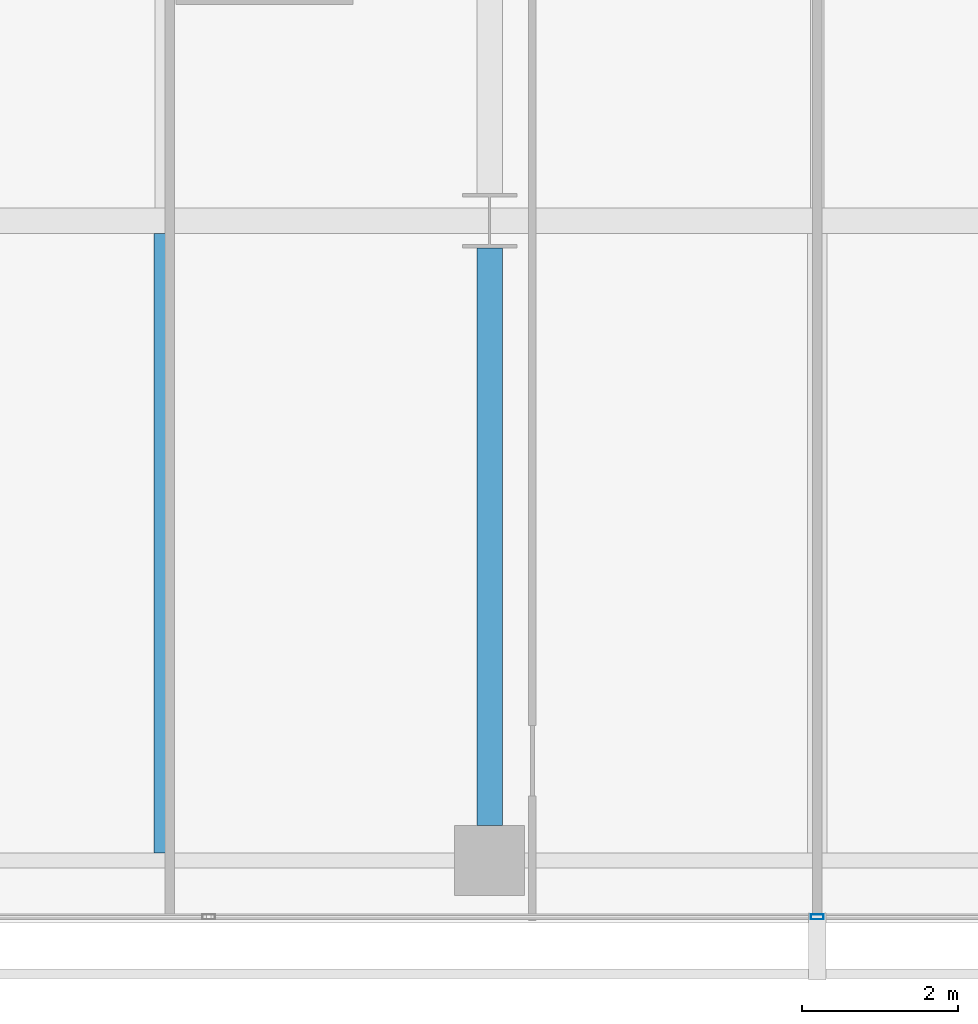
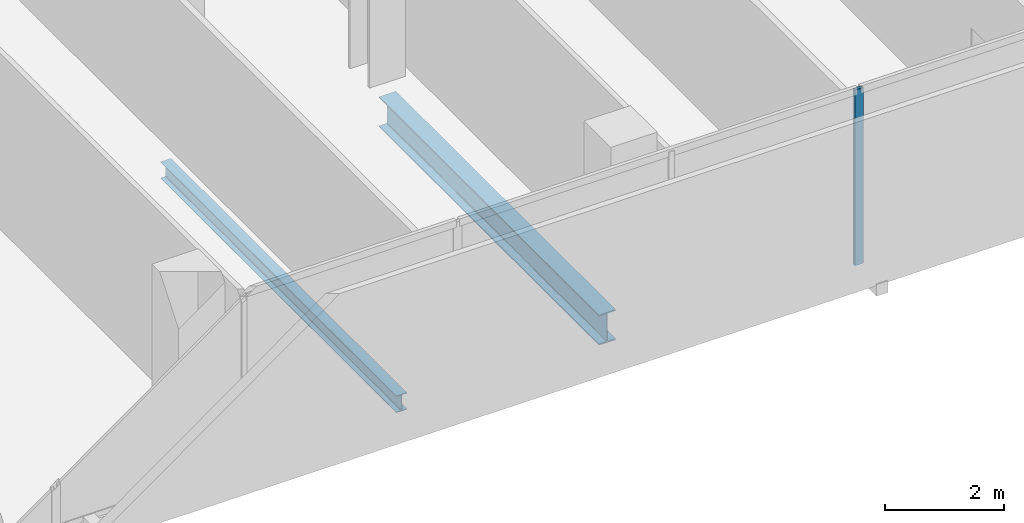
# One storey, part 8 of 40: 2 beams, 1 member, 1 element without a shape of its own.
"""IFC4 building model written with IfcOpenShell, lengths in metres."""

from ifc_helpers import new_model, si_unit, direction, frame, origin, origin_2d, place, context, subcontext, project, spatial, hollow_rectangle, i_section, extrude, material, layer, layer_set, material_profile, profile_set, type_object, element, aggregate, save


model = new_model("IFC4")

# Units and contexts
model_context = context("Model", 3, precision=1e-05, world=origin(), true_north=direction((0.0, 1.0)))
body_context = subcontext(model_context, "Body", "Model", "MODEL_VIEW")
ifc_project = project(units=[si_unit("LENGTHUNIT", "METRE"), si_unit("AREAUNIT", "SQUARE_METRE"), si_unit("VOLUMEUNIT", "CUBIC_METRE"), si_unit("PLANEANGLEUNIT", "RADIAN"), si_unit("MASSUNIT", "GRAM", prefix="KILO")], contexts=[model_context])

# Site, building, storey
site_placement = place(None, origin())
site = spatial("IfcSite", under=ifc_project, at=site_placement, CompositionType="ELEMENT")
building_placement = place(site_placement, origin())
building = spatial("IfcBuilding", under=site, at=building_placement, Name="Maruvema Waterfront Hotel and Observation Tower", CompositionType="ELEMENT")
storey_placement = place(building_placement, frame((0.0, 0.0, 50.050048828125)))
storey = spatial("IfcBuildingStorey", under=building, at=storey_placement, Name="L11", CompositionType="ELEMENT", Elevation=50.050048828125)

# Curtain wall, member
ifc_material_1 = material(Name="Anodised bronze aluminium and solar-control low-E IGU", Category="aluminium")
ifc_layer = layer(ifc_material_1, 0.159912109375, Name="Zone 1 Bronze Inner Thermal Curtain Wall System CW-02")
ifc_layer_set = layer_set([ifc_layer], Name="Anodised bronze aluminium and solar-control low-E IGU")
curtain_wall_type = type_object("IfcCurtainWallType", Name="Zone 1 Bronze Inner Thermal Curtain Wall System CW-02", PredefinedType="USERDEFINED", material=ifc_layer_set)
curtain_wall_placement = place(storey_placement, origin())
curtain_wall = element("IfcCurtainWall", 1, at=curtain_wall_placement, inside=storey, type_object=curtain_wall_type, Name="L11 Curtain Wall CW-L11-S", ObjectType="UNITISED CURTAIN WALL", PredefinedType="USERDEFINED")
ifc_material_2 = material(Name="Anodised architectural bronze aluminium", Category="aluminium")
ifc_material_profile_1 = material_profile(ifc_material_2, hollow_rectangle(XDim=0.06494140625, YDim=0.1650390625, WallThickness=0.00390625, at=origin_2d()), Name="ALU-M65x165")
ifc_profile_set_1 = profile_set([ifc_material_profile_1], Name="Anodised architectural bronze aluminium")
member_type = type_object("IfcMemberType", Name="Curtain Wall Primary Mullion ALU-M65x165", PredefinedType="MULLION", material=ifc_profile_set_1)
member_placement = place(storey_placement, frame((37.800048828125, 0.080078125, 0.0), z_axis=(0.0, 0.0, 1.0), x_axis=(0.0, 1.0, 0.0)))
member = element("IfcMember", 2, at=member_placement, type_object=member_type, Name="CW-02 mullion 4", PredefinedType="MULLION", context=body_context, shape_type="SweptSolid", body=[
    extrude(hollow_rectangle(XDim=0.06494140625, YDim=0.1650390625, WallThickness=0.00390625, at=origin_2d()), origin(), (0.0, 0.0, 1.0), 3.60986328125),
])
aggregate(curtain_wall, [member])

# Beams
ifc_material_3 = material(Name="Steel ASTM A572 Grade 50", Category="steel")
ifc_material_profile_2 = material_profile(ifc_material_3, i_section(OverallWidth=0.326904296875, OverallDepth=0.6220703125, WebThickness=0.015380859375, FlangeThickness=0.0244140625, FilletRadius=0.01806640625, at=origin_2d()), Name="W610x195.0")
ifc_profile_set_2 = profile_set([ifc_material_profile_2], Name="Steel ASTM A572 Grade 50")
beam_type_1 = type_object("IfcBeamType", Name="Primary Floor Girder W610x195.0", PredefinedType="BEAM", material=ifc_profile_set_2)
beam_1_placement = place(storey_placement, frame((33.60009765625, 1.25, -0.551025390625), z_axis=(0.0, 1.0, 0.0), x_axis=(-1.0, 0.0, 0.0)))
element("IfcBeam", 3, at=beam_1_placement, inside=storey, type_object=beam_type_1, Name="L11 Floor Girder NS-16", PredefinedType="BEAM", context=body_context, shape_type="SweptSolid", body=[
    extrude(i_section(OverallWidth=0.326904296875, OverallDepth=0.6220703125, WebThickness=0.015380859375, FlangeThickness=0.0244140625, FilletRadius=0.01806640625, at=origin_2d()), origin(), (0.0, 0.0, 1.0), 7.39990234375),
])
ifc_material_4 = material(Name="Steel ASTM A572 Grade 50", Category="steel")
ifc_material_profile_3 = material_profile(ifc_material_4, i_section(OverallWidth=0.202880859375, OverallDepth=0.346923828125, WebThickness=0.0078125, FlangeThickness=0.013427734375, FilletRadius=0.014892578125, at=origin_2d()), Name="W360x64.0")
ifc_profile_set_3 = profile_set([ifc_material_profile_3], Name="Steel ASTM A572 Grade 50")
beam_type_2 = type_object("IfcBeamType", Name="Secondary Floor Joist W360x64.0", PredefinedType="JOIST", material=ifc_profile_set_3)
beam_2_placement = place(storey_placement, frame((29.39990234375, 0.89501953125, -0.41357421875), z_axis=(0.0, 1.0, 0.0), x_axis=(-1.0, 0.0, 0.0)))
element("IfcBeam", 4, at=beam_2_placement, inside=storey, type_object=beam_type_2, Name="L11 Secondary Floor Joist JS-10", PredefinedType="JOIST", context=body_context, shape_type="SweptSolid", body=[
    extrude(i_section(OverallWidth=0.202880859375, OverallDepth=0.346923828125, WebThickness=0.0078125, FlangeThickness=0.013427734375, FilletRadius=0.014892578125, at=origin_2d()), origin(), (0.0, 0.0, 1.0), 7.94140625),
])

save(model, "model.ifc")
